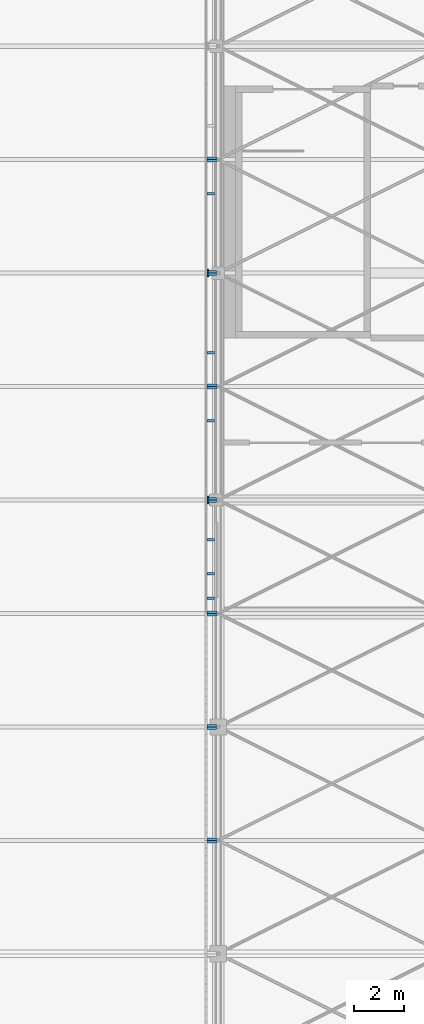
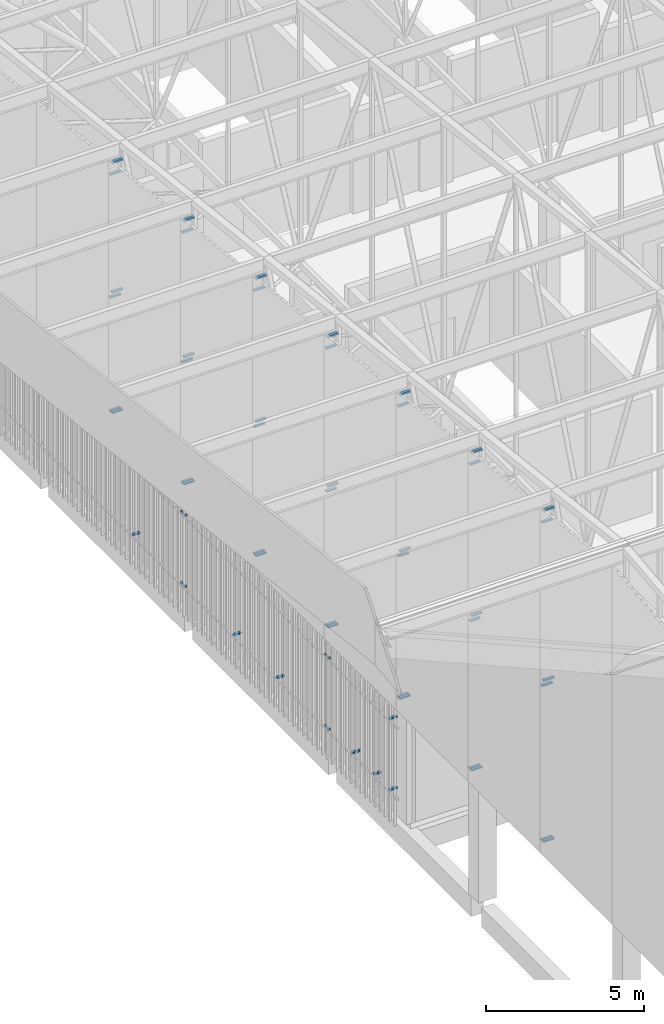
# One storey, part 445 of 500: 57 discrete accessories.
"""IFC4 building model written with IfcOpenShell, lengths in metres."""

from ifc_helpers import new_model, si_unit, direction, frame, origin, origin_2d, place, context, subcontext, project, spatial, rectangle, extrude, material, type_object, element, save


model = new_model("IFC4")

# Units and contexts
model_context = context("Model", 3, precision=1e-05, world=origin(), true_north=direction((0.0, 1.0)))
body_context = subcontext(model_context, "Body", "Model", "MODEL_VIEW")
ifc_project = project(units=[si_unit("LENGTHUNIT", "METRE"), si_unit("AREAUNIT", "SQUARE_METRE"), si_unit("VOLUMEUNIT", "CUBIC_METRE"), si_unit("PLANEANGLEUNIT", "RADIAN"), si_unit("MASSUNIT", "GRAM", prefix="KILO")], contexts=[model_context])

# Site, building, storey
site_placement = place(None, origin())
site = spatial("IfcSite", under=ifc_project, at=site_placement, CompositionType="ELEMENT")
building_placement = place(site_placement, origin())
building = spatial("IfcBuilding", under=site, at=building_placement, Name="Shirokan Park Arena", CompositionType="ELEMENT")
storey_placement = place(building_placement, frame((0.0, 0.0, 29.1201171875)))
storey = spatial("IfcBuildingStorey", under=building, at=storey_placement, Name="L06", CompositionType="ELEMENT", Elevation=29.1201171875)

# Discrete accessories
ifc_material = material(Name="Steel S355", Category="steel")
discrete_accessory_type = type_object("IfcDiscreteAccessoryType", Name="Veil bracket 100x60", PredefinedType="BRACKET", material=ifc_material)
for number, where, z_axis, x_axis, name in (
    (1, (-0.409912109375, 82.0, 1.06982421875), (0.0, 0.0, 1.0), (0.0, -1.0, 0.0), "Veil bracket west bay 3 L06 2"),
    (2, (-0.409912109375, 82.0, 3.81982421875), (0.0, 0.0, 1.0), (0.0, -1.0, 0.0), "Veil bracket west bay 3 L06 4"),
):
    element("IfcDiscreteAccessory", number, at=place(storey_placement, frame(where, z_axis=z_axis, x_axis=x_axis)), inside=storey, type_object=discrete_accessory_type, Name=name, PredefinedType="BRACKET", context=body_context, shape_type="SweptSolid", body=[
        extrude(rectangle(XDim=0.10009765625, YDim=0.070068359375, at=origin_2d()), origin(), (0.0, 0.0, 1.0), 0.06005859375),
    ])
discrete_accessory_1_placement = place(storey_placement, frame((-0.297607421875, 85.0849609375, 1.06982421875), z_axis=(0.0, 0.0, 1.0), x_axis=(0.0, -1.0, 0.0)))
element("IfcDiscreteAccessory", 3, at=discrete_accessory_1_placement, inside=storey, type_object=discrete_accessory_type, Name="Veil bracket west bay 3 L06 wall 2", PredefinedType="BRACKET", context=body_context, shape_type="SweptSolid", body=[
    extrude(rectangle(XDim=0.10009765625, YDim=0.294921875, at=origin_2d()), origin(), (0.0, 0.0, 1.0), 0.06005859375),
])
for number, where, z_axis, x_axis, name in (
    (4, (-0.409912109375, 81.800048828125, 1.06982421875), (0.0, 0.0, 1.0), (0.0, -1.0, 0.0), "Veil bracket west bay 4 L06 1"),
    (5, (-0.409912109375, 72.89990234375, 1.06982421875), (0.0, 0.0, 1.0), (0.0, -1.0, 0.0), "Veil bracket west bay 4 L06 2"),
    (6, (-0.409912109375, 81.800048828125, 3.81982421875), (0.0, 0.0, 1.0), (0.0, -1.0, 0.0), "Veil bracket west bay 4 L06 3"),
    (7, (-0.409912109375, 72.89990234375, 3.81982421875), (0.0, 0.0, 1.0), (0.0, -1.0, 0.0), "Veil bracket west bay 4 L06 4"),
):
    element("IfcDiscreteAccessory", number, at=place(storey_placement, frame(where, z_axis=z_axis, x_axis=x_axis)), inside=storey, type_object=discrete_accessory_type, Name=name, PredefinedType="BRACKET", context=body_context, shape_type="SweptSolid", body=[
        extrude(rectangle(XDim=0.10009765625, YDim=0.070068359375, at=origin_2d()), origin(), (0.0, 0.0, 1.0), 0.06005859375),
    ])
for number, where, z_axis, x_axis, name in (
    (8, (-0.297607421875, 78.715087890625, 1.06982421875), (0.0, 0.0, 1.0), (0.0, -1.0, 0.0), "Veil bracket west bay 4 L06 wall 1"),
    (9, (-0.297607421875, 75.985107421875, 1.06982421875), (0.0, 0.0, 1.0), (0.0, -1.0, 0.0), "Veil bracket west bay 4 L06 wall 2"),
):
    element("IfcDiscreteAccessory", number, at=place(storey_placement, frame(where, z_axis=z_axis, x_axis=x_axis)), inside=storey, type_object=discrete_accessory_type, Name=name, PredefinedType="BRACKET", context=body_context, shape_type="SweptSolid", body=[
        extrude(rectangle(XDim=0.10009765625, YDim=0.294921875, at=origin_2d()), origin(), (0.0, 0.0, 1.0), 0.06005859375),
    ])
discrete_accessory_2_placement = place(storey_placement, frame((-0.409912109375, 72.699951171875, 1.06982421875), z_axis=(0.0, 0.0, 1.0), x_axis=(0.0, -1.0, 0.0)))
element("IfcDiscreteAccessory", 10, at=discrete_accessory_2_placement, inside=storey, type_object=discrete_accessory_type, Name="Veil bracket west bay 5 L06 1", PredefinedType="BRACKET", context=body_context, shape_type="SweptSolid", body=[
    extrude(rectangle(XDim=0.10009765625, YDim=0.070068359375, at=origin_2d()), origin(), (0.0, 0.0, 1.0), 0.06005859375),
])
discrete_accessory_3_placement = place(storey_placement, frame((-0.297607421875, 68.85009765625, 1.06982421875), z_axis=(0.0, 0.0, 1.0), x_axis=(0.0, -1.0, 0.0)))
element("IfcDiscreteAccessory", 11, at=discrete_accessory_3_placement, inside=storey, type_object=discrete_accessory_type, Name="Veil bracket west bay 5 L06 2", PredefinedType="BRACKET", context=body_context, shape_type="SweptSolid", body=[
    extrude(rectangle(XDim=0.10009765625, YDim=0.294921875, at=origin_2d()), origin(), (0.0, 0.0, 1.0), 0.06005859375),
])
discrete_accessory_4_placement = place(storey_placement, frame((-0.409912109375, 72.699951171875, 3.81982421875), z_axis=(0.0, 0.0, 1.0), x_axis=(0.0, -1.0, 0.0)))
element("IfcDiscreteAccessory", 12, at=discrete_accessory_4_placement, inside=storey, type_object=discrete_accessory_type, Name="Veil bracket west bay 5 L06 3", PredefinedType="BRACKET", context=body_context, shape_type="SweptSolid", body=[
    extrude(rectangle(XDim=0.10009765625, YDim=0.070068359375, at=origin_2d()), origin(), (0.0, 0.0, 1.0), 0.06005859375),
])
for number, where, z_axis, x_axis, name in (
    (13, (-0.297607421875, 68.85009765625, 3.81982421875), (0.0, 0.0, 1.0), (0.0, -1.0, 0.0), "Veil bracket west bay 5 L06 4"),
    (14, (-0.297607421875, 71.20751953125, 1.06982421875), (0.0, 0.0, 1.0), (0.0, -1.0, 0.0), "Veil bracket west bay 5 L06 wall 1"),
    (15, (-0.297607421875, 69.842529296875, 1.06982421875), (0.0, 0.0, 1.0), (0.0, -1.0, 0.0), "Veil bracket west bay 5 L06 wall 2"),
):
    element("IfcDiscreteAccessory", number, at=place(storey_placement, frame(where, z_axis=z_axis, x_axis=x_axis)), inside=storey, type_object=discrete_accessory_type, Name=name, PredefinedType="BRACKET", context=body_context, shape_type="SweptSolid", body=[
        extrude(rectangle(XDim=0.10009765625, YDim=0.294921875, at=origin_2d()), origin(), (0.0, 0.0, 1.0), 0.06005859375),
    ])
for number, where, z_axis, x_axis, name in (
    (16, (-0.2509765625, 59.10009765625, 4.995849609375), (0.0, 0.0, 1.0), (1.0, 0.0, 0.0), "Veil bracket gable band west bay 15 4"),
    (17, (-0.2509765625, 59.10009765625, 11.2138671875), (0.0, 0.0, 1.0), (1.0, 0.0, 0.0), "Veil bracket gable band west bay 15 5"),
    (18, (-0.2509765625, 59.10009765625, 17.78173828125), (0.0, 0.0, 1.0), (1.0, 0.0, 0.0), "Veil bracket gable band west bay 15 6"),
    (19, (-0.2509765625, 59.199951171875, 4.995849609375), (0.0, 0.0, 1.0), (1.0, 0.0, 0.0), "Veil bracket gable band west bay 16 1"),
    (20, (-0.2509765625, 59.199951171875, 10.953857421875), (0.0, 0.0, 1.0), (1.0, 0.0, 0.0), "Veil bracket gable band west bay 16 2"),
    (21, (-0.2509765625, 59.199951171875, 17.261962890625), (0.0, 0.0, 1.0), (1.0, 0.0, 0.0), "Veil bracket gable band west bay 16 3"),
):
    element("IfcDiscreteAccessory", number, at=place(storey_placement, frame(where, z_axis=z_axis, x_axis=x_axis)), inside=storey, type_object=discrete_accessory_type, Name=name, PredefinedType="BRACKET", context=body_context, shape_type="SweptSolid", body=[
        extrude(rectangle(XDim=0.387939453125, YDim=0.10009765625, at=origin_2d()), origin(), (0.0, 0.0, 1.0), 0.06005859375),
    ])
for number, where, z_axis, x_axis, name in (
    (22, (-0.254150390625, 63.64990234375, 4.995849609375), (0.0, 0.0, 1.0), (1.0, 0.0, 0.0), "Veil bracket gable band west bay 16 4"),
    (23, (-0.254150390625, 63.64990234375, 10.953857421875), (0.0, 0.0, 1.0), (1.0, 0.0, 0.0), "Veil bracket gable band west bay 16 5"),
    (24, (-0.254150390625, 63.64990234375, 17.261962890625), (0.0, 0.0, 1.0), (1.0, 0.0, 0.0), "Veil bracket gable band west bay 16 6"),
    (25, (-0.254150390625, 63.75, 4.995849609375), (0.0, 0.0, 1.0), (1.0, 0.0, 0.0), "Veil bracket gable band west bay 17 1"),
    (26, (-0.254150390625, 63.75, 10.69384765625), (0.0, 0.0, 1.0), (1.0, 0.0, 0.0), "Veil bracket gable band west bay 17 2"),
    (27, (-0.254150390625, 63.75, 16.741943359375), (0.0, 0.0, 1.0), (1.0, 0.0, 0.0), "Veil bracket gable band west bay 17 3"),
):
    element("IfcDiscreteAccessory", number, at=place(storey_placement, frame(where, z_axis=z_axis, x_axis=x_axis)), inside=storey, type_object=discrete_accessory_type, Name=name, PredefinedType="BRACKET", context=body_context, shape_type="SweptSolid", body=[
        extrude(rectangle(XDim=0.381591796875, YDim=0.10009765625, at=origin_2d()), origin(), (0.0, 0.0, 1.0), 0.06005859375),
    ])
for number, where, z_axis, x_axis, name in (
    (28, (-0.2509765625, 68.199951171875, 4.995849609375), (0.0, 0.0, 1.0), (1.0, 0.0, 0.0), "Veil bracket gable band west bay 17 4"),
    (29, (-0.2509765625, 68.199951171875, 10.69384765625), (0.0, 0.0, 1.0), (1.0, 0.0, 0.0), "Veil bracket gable band west bay 17 5"),
    (30, (-0.2509765625, 68.199951171875, 16.741943359375), (0.0, 0.0, 1.0), (1.0, 0.0, 0.0), "Veil bracket gable band west bay 17 6"),
    (31, (-0.2509765625, 68.300048828125, 4.995849609375), (0.0, 0.0, 1.0), (1.0, 0.0, 0.0), "Veil bracket gable band west bay 18 1"),
    (32, (-0.2509765625, 68.300048828125, 10.433837890625), (0.0, 0.0, 1.0), (1.0, 0.0, 0.0), "Veil bracket gable band west bay 18 2"),
    (33, (-0.2509765625, 68.300048828125, 16.221923828125), (0.0, 0.0, 1.0), (1.0, 0.0, 0.0), "Veil bracket gable band west bay 18 3"),
):
    element("IfcDiscreteAccessory", number, at=place(storey_placement, frame(where, z_axis=z_axis, x_axis=x_axis)), inside=storey, type_object=discrete_accessory_type, Name=name, PredefinedType="BRACKET", context=body_context, shape_type="SweptSolid", body=[
        extrude(rectangle(XDim=0.387939453125, YDim=0.10009765625, at=origin_2d()), origin(), (0.0, 0.0, 1.0), 0.06005859375),
    ])
for number, where, z_axis, x_axis, name in (
    (34, (-0.254150390625, 72.75, 4.995849609375), (0.0, 0.0, 1.0), (1.0, 0.0, 0.0), "Veil bracket gable band west bay 18 4"),
    (35, (-0.254150390625, 72.75, 10.433837890625), (0.0, 0.0, 1.0), (1.0, 0.0, 0.0), "Veil bracket gable band west bay 18 5"),
    (36, (-0.254150390625, 72.75, 16.221923828125), (0.0, 0.0, 1.0), (1.0, 0.0, 0.0), "Veil bracket gable band west bay 18 6"),
    (37, (-0.254150390625, 72.85009765625, 4.995849609375), (0.0, 0.0, 1.0), (1.0, 0.0, 0.0), "Veil bracket gable band west bay 19 1"),
    (38, (-0.254150390625, 72.85009765625, 10.173828125), (0.0, 0.0, 1.0), (1.0, 0.0, 0.0), "Veil bracket gable band west bay 19 2"),
    (39, (-0.254150390625, 72.85009765625, 15.701904296875), (0.0, 0.0, 1.0), (1.0, 0.0, 0.0), "Veil bracket gable band west bay 19 3"),
):
    element("IfcDiscreteAccessory", number, at=place(storey_placement, frame(where, z_axis=z_axis, x_axis=x_axis)), inside=storey, type_object=discrete_accessory_type, Name=name, PredefinedType="BRACKET", context=body_context, shape_type="SweptSolid", body=[
        extrude(rectangle(XDim=0.381591796875, YDim=0.10009765625, at=origin_2d()), origin(), (0.0, 0.0, 1.0), 0.06005859375),
    ])
for number, where, z_axis, x_axis, name in (
    (40, (-0.2509765625, 77.300048828125, 4.995849609375), (0.0, 0.0, 1.0), (1.0, 0.0, 0.0), "Veil bracket gable band west bay 19 4"),
    (41, (-0.2509765625, 77.300048828125, 10.173828125), (0.0, 0.0, 1.0), (1.0, 0.0, 0.0), "Veil bracket gable band west bay 19 5"),
    (42, (-0.2509765625, 77.300048828125, 15.701904296875), (0.0, 0.0, 1.0), (1.0, 0.0, 0.0), "Veil bracket gable band west bay 19 6"),
    (43, (-0.2509765625, 77.39990234375, 4.995849609375), (0.0, 0.0, 1.0), (1.0, 0.0, 0.0), "Veil bracket gable band west bay 20 1"),
    (44, (-0.2509765625, 77.39990234375, 9.913818359375), (0.0, 0.0, 1.0), (1.0, 0.0, 0.0), "Veil bracket gable band west bay 20 2"),
    (45, (-0.2509765625, 77.39990234375, 15.181884765625), (0.0, 0.0, 1.0), (1.0, 0.0, 0.0), "Veil bracket gable band west bay 20 3"),
):
    element("IfcDiscreteAccessory", number, at=place(storey_placement, frame(where, z_axis=z_axis, x_axis=x_axis)), inside=storey, type_object=discrete_accessory_type, Name=name, PredefinedType="BRACKET", context=body_context, shape_type="SweptSolid", body=[
        extrude(rectangle(XDim=0.387939453125, YDim=0.10009765625, at=origin_2d()), origin(), (0.0, 0.0, 1.0), 0.06005859375),
    ])
for number, where, z_axis, x_axis, name in (
    (46, (-0.254150390625, 81.85009765625, 4.995849609375), (0.0, 0.0, 1.0), (1.0, 0.0, 0.0), "Veil bracket gable band west bay 20 4"),
    (47, (-0.254150390625, 81.85009765625, 9.913818359375), (0.0, 0.0, 1.0), (1.0, 0.0, 0.0), "Veil bracket gable band west bay 20 5"),
    (48, (-0.254150390625, 81.85009765625, 15.181884765625), (0.0, 0.0, 1.0), (1.0, 0.0, 0.0), "Veil bracket gable band west bay 20 6"),
    (49, (-0.254150390625, 81.949951171875, 4.995849609375), (0.0, 0.0, 1.0), (1.0, 0.0, 0.0), "Veil bracket gable band west bay 21 1"),
    (50, (-0.254150390625, 81.949951171875, 9.65380859375), (0.0, 0.0, 1.0), (1.0, 0.0, 0.0), "Veil bracket gable band west bay 21 2"),
    (51, (-0.254150390625, 81.949951171875, 14.661865234375), (0.0, 0.0, 1.0), (1.0, 0.0, 0.0), "Veil bracket gable band west bay 21 3"),
):
    element("IfcDiscreteAccessory", number, at=place(storey_placement, frame(where, z_axis=z_axis, x_axis=x_axis)), inside=storey, type_object=discrete_accessory_type, Name=name, PredefinedType="BRACKET", context=body_context, shape_type="SweptSolid", body=[
        extrude(rectangle(XDim=0.381591796875, YDim=0.10009765625, at=origin_2d()), origin(), (0.0, 0.0, 1.0), 0.06005859375),
    ])
for number, where, z_axis, x_axis, name in (
    (52, (-0.2509765625, 86.39990234375, 4.995849609375), (0.0, 0.0, 1.0), (1.0, 0.0, 0.0), "Veil bracket gable band west bay 21 4"),
    (53, (-0.2509765625, 86.39990234375, 9.65380859375), (0.0, 0.0, 1.0), (1.0, 0.0, 0.0), "Veil bracket gable band west bay 21 5"),
    (54, (-0.2509765625, 86.39990234375, 14.661865234375), (0.0, 0.0, 1.0), (1.0, 0.0, 0.0), "Veil bracket gable band west bay 21 6"),
    (55, (-0.2509765625, 86.5, 4.995849609375), (0.0, 0.0, 1.0), (1.0, 0.0, 0.0), "Veil bracket gable band west bay 22 1"),
    (56, (-0.2509765625, 86.5, 9.393798828125), (0.0, 0.0, 1.0), (1.0, 0.0, 0.0), "Veil bracket gable band west bay 22 2"),
    (57, (-0.2509765625, 86.5, 14.141845703125), (0.0, 0.0, 1.0), (1.0, 0.0, 0.0), "Veil bracket gable band west bay 22 3"),
):
    element("IfcDiscreteAccessory", number, at=place(storey_placement, frame(where, z_axis=z_axis, x_axis=x_axis)), inside=storey, type_object=discrete_accessory_type, Name=name, PredefinedType="BRACKET", context=body_context, shape_type="SweptSolid", body=[
        extrude(rectangle(XDim=0.387939453125, YDim=0.10009765625, at=origin_2d()), origin(), (0.0, 0.0, 1.0), 0.06005859375),
    ])

save(model, "model.ifc")
